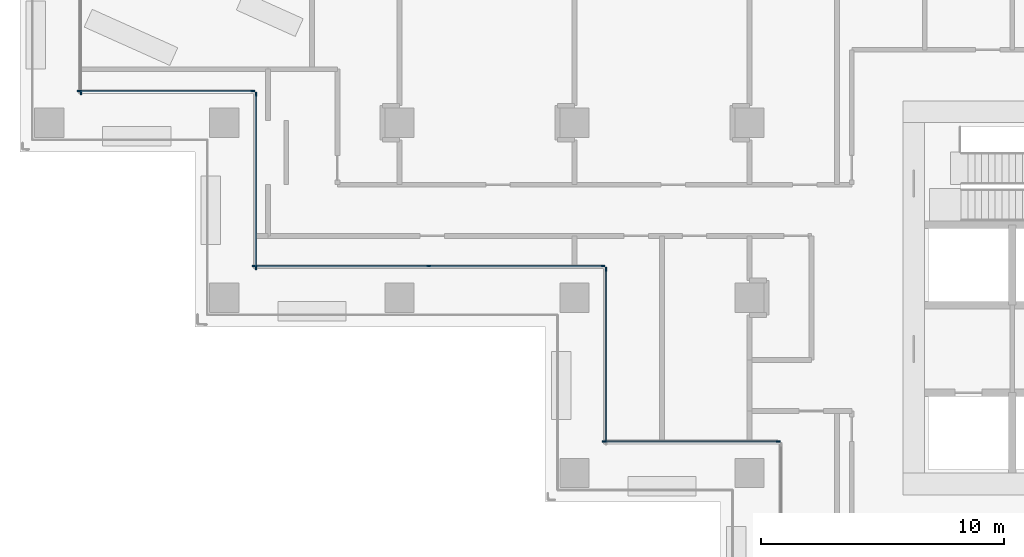
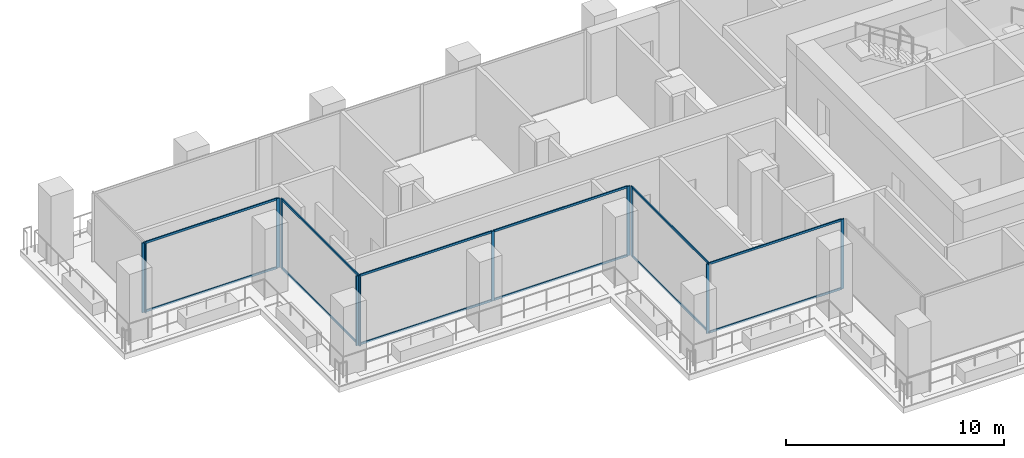
# One storey, part 4 of 24: 23 members, 6 elements without a shape of their own.
"""IFC4 building model written with IfcOpenShell, lengths in metres."""

from ifc_helpers import new_model, si_unit, direction, frame, origin, origin_2d, place, context, subcontext, project, spatial, rectangle, extrude, material, material_profile, profile_set, type_object, element, aggregate, save


model = new_model("IFC4")

# Units and contexts
model_context = context("Model", 3, precision=1e-05, world=origin(), true_north=direction((0.0, 1.0)))
body_context = subcontext(model_context, "Body", "Model", "MODEL_VIEW")
ifc_project = project(units=[si_unit("LENGTHUNIT", "METRE"), si_unit("AREAUNIT", "SQUARE_METRE"), si_unit("VOLUMEUNIT", "CUBIC_METRE"), si_unit("PLANEANGLEUNIT", "RADIAN"), si_unit("MASSUNIT", "GRAM", prefix="KILO")], contexts=[model_context])

# Site, building, storey
site_placement = place(None, origin())
site = spatial("IfcSite", under=ifc_project, at=site_placement, CompositionType="ELEMENT")
building_placement = place(site_placement, origin())
building = spatial("IfcBuilding", under=site, at=building_placement, Name="Windrow Commons", CompositionType="ELEMENT")
storey_placement = place(building_placement, frame((0.0, 0.0, 77.0)))
storey = spatial("IfcBuildingStorey", under=building, at=storey_placement, Name="L20", CompositionType="ELEMENT", Elevation=77.0)

# Curtain wall, member
ifc_material_1 = material(Name="Clear laminated glass in Aluminium 6063-T6 anodised frame", Category="aluminium")
curtain_wall_type = type_object("IfcCurtainWallType", Name="Curtain wall CW2 sky lounge", PredefinedType="USERDEFINED", material=ifc_material_1)
placement = place(storey_placement, origin())
curtain_wall_1 = element("IfcCurtainWall", 1, at=placement, inside=storey, type_object=curtain_wall_type, Name="Curtain wall CW2 L20 5", ObjectType="UNITISED", PredefinedType="USERDEFINED")
ifc_material_2 = material(Name="Aluminium 6063-T6", Category="aluminium")
ifc_material_profile_1 = material_profile(ifc_material_2, rectangle(XDim=0.06, YDim=0.16, at=origin_2d()))
ifc_profile_set_1 = profile_set([ifc_material_profile_1], Name="Aluminium 6063-T6")
member_type_1 = type_object("IfcMemberType", Name="CW2 mullion 60x160", PredefinedType="MULLION", material=ifc_profile_set_1)
member_1_placement = place(storey_placement, frame((22.9, 66.03, 0.0), z_axis=(0.0, 0.0, 1.0), x_axis=(1.0, 0.0, 0.0)))
member_1 = element("IfcMember", 2, at=member_1_placement, type_object=member_type_1, Name="CW2 mullion 2", PredefinedType="MULLION", context=body_context, shape_type="SweptSolid", body=[
    extrude(rectangle(XDim=0.06, YDim=0.16, at=origin_2d()), origin(), (0.0, 0.0, 1.0), 3.9),
])
aggregate(curtain_wall_1, [member_1])

# Curtain wall, members
curtain_wall_2 = element("IfcCurtainWall", 3, at=placement, inside=storey, type_object=curtain_wall_type, Name="Curtain wall CW2 L20 6", ObjectType="UNITISED", PredefinedType="USERDEFINED")
member_2_placement = place(storey_placement, frame((22.83, 66.1, 0.0), z_axis=(0.0, 0.0, 1.0), x_axis=(0.0, 1.0, 0.0)))
member_2 = element("IfcMember", 4, at=member_2_placement, type_object=member_type_1, Name="CW2 mullion 1", PredefinedType="MULLION", context=body_context, shape_type="SweptSolid", body=[
    extrude(rectangle(XDim=0.06, YDim=0.16, at=origin_2d()), origin(), (0.0, 0.0, 1.0), 3.9),
])
member_3_placement = place(storey_placement, frame((29.97, 66.1, 0.0), z_axis=(0.0, 0.0, 1.0), x_axis=(0.0, 1.0, 0.0)))
member_3 = element("IfcMember", 5, at=member_3_placement, type_object=member_type_1, Name="CW2 mullion 2", PredefinedType="MULLION", context=body_context, shape_type="SweptSolid", body=[
    extrude(rectangle(XDim=0.06, YDim=0.16, at=origin_2d()), origin(), (0.0, 0.0, 1.0), 3.9),
])

curtain_wall_3 = element("IfcCurtainWall", 6, at=placement, inside=storey, type_object=curtain_wall_type, Name="Curtain wall CW2 L20 7", ObjectType="UNITISED", PredefinedType="USERDEFINED")
member_4_placement = place(storey_placement, frame((30.1, 65.97, 0.0), z_axis=(0.0, 0.0, 1.0), x_axis=(1.0, 0.0, 0.0)))
member_4 = element("IfcMember", 7, at=member_4_placement, type_object=member_type_1, Name="CW2 mullion 1", PredefinedType="MULLION", context=body_context, shape_type="SweptSolid", body=[
    extrude(rectangle(XDim=0.06, YDim=0.16, at=origin_2d()), origin(), (0.0, 0.0, 1.0), 3.9),
])
member_5_placement = place(storey_placement, frame((30.1, 58.83, 0.0), z_axis=(0.0, 0.0, 1.0), x_axis=(1.0, 0.0, 0.0)))
member_5 = element("IfcMember", 8, at=member_5_placement, type_object=member_type_1, Name="CW2 mullion 2", PredefinedType="MULLION", context=body_context, shape_type="SweptSolid", body=[
    extrude(rectangle(XDim=0.06, YDim=0.16, at=origin_2d()), origin(), (0.0, 0.0, 1.0), 3.9),
])

curtain_wall_4 = element("IfcCurtainWall", 9, at=placement, inside=storey, type_object=curtain_wall_type, Name="Curtain wall CW2 L20 8", ObjectType="UNITISED", PredefinedType="USERDEFINED")
member_6_placement = place(storey_placement, frame((30.03, 58.9, 0.0), z_axis=(0.0, 0.0, 1.0), x_axis=(0.0, 1.0, 0.0)))
member_6 = element("IfcMember", 10, at=member_6_placement, type_object=member_type_1, Name="CW2 mullion 1", PredefinedType="MULLION", context=body_context, shape_type="SweptSolid", body=[
    extrude(rectangle(XDim=0.06, YDim=0.16, at=origin_2d()), origin(), (0.0, 0.0, 1.0), 3.9),
])
member_7_placement = place(storey_placement, frame((37.2, 58.9, 0.0), z_axis=(0.0, 0.0, 1.0), x_axis=(0.0, 1.0, 0.0)))
member_7 = element("IfcMember", 11, at=member_7_placement, type_object=member_type_1, Name="CW2 mullion 2", PredefinedType="MULLION", context=body_context, shape_type="SweptSolid", body=[
    extrude(rectangle(XDim=0.06, YDim=0.16, at=origin_2d()), origin(), (0.0, 0.0, 1.0), 3.9),
])
member_8_placement = place(storey_placement, frame((44.37, 58.9, 0.0), z_axis=(0.0, 0.0, 1.0), x_axis=(0.0, 1.0, 0.0)))
member_8 = element("IfcMember", 12, at=member_8_placement, type_object=member_type_1, Name="CW2 mullion 3", PredefinedType="MULLION", context=body_context, shape_type="SweptSolid", body=[
    extrude(rectangle(XDim=0.06, YDim=0.16, at=origin_2d()), origin(), (0.0, 0.0, 1.0), 3.9),
])

# Curtain wall, member
curtain_wall_5 = element("IfcCurtainWall", 13, at=placement, inside=storey, type_object=curtain_wall_type, Name="Curtain wall CW2 L20 9", ObjectType="UNITISED", PredefinedType="USERDEFINED")
member_9_placement = place(storey_placement, frame((44.5, 58.77, 0.0), z_axis=(0.0, 0.0, 1.0), x_axis=(1.0, 0.0, 0.0)))
member_9 = element("IfcMember", 14, at=member_9_placement, type_object=member_type_1, Name="CW2 mullion 1", PredefinedType="MULLION", context=body_context, shape_type="SweptSolid", body=[
    extrude(rectangle(XDim=0.06, YDim=0.16, at=origin_2d()), origin(), (0.0, 0.0, 1.0), 3.9),
])

# Curtain wall, members
curtain_wall_6 = element("IfcCurtainWall", 15, at=placement, inside=storey, type_object=curtain_wall_type, Name="Curtain wall CW2 L20 10", ObjectType="UNITISED", PredefinedType="USERDEFINED")
member_10_placement = place(storey_placement, frame((44.43, 51.7, 0.0), z_axis=(0.0, 0.0, 1.0), x_axis=(0.0, 1.0, 0.0)))
member_10 = element("IfcMember", 16, at=member_10_placement, type_object=member_type_1, Name="CW2 mullion 1", PredefinedType="MULLION", context=body_context, shape_type="SweptSolid", body=[
    extrude(rectangle(XDim=0.06, YDim=0.16, at=origin_2d()), origin(), (0.0, 0.0, 1.0), 3.9),
])
member_11_placement = place(storey_placement, frame((51.57, 51.7, 0.0), z_axis=(0.0, 0.0, 1.0), x_axis=(0.0, 1.0, 0.0)))
member_11 = element("IfcMember", 17, at=member_11_placement, type_object=member_type_1, Name="CW2 mullion 2", PredefinedType="MULLION", context=body_context, shape_type="SweptSolid", body=[
    extrude(rectangle(XDim=0.06, YDim=0.16, at=origin_2d()), origin(), (0.0, 0.0, 1.0), 3.9),
])

# Member
ifc_material_3 = material(Name="Aluminium 6063-T6", Category="aluminium")
ifc_material_profile_2 = material_profile(ifc_material_3, rectangle(XDim=0.06, YDim=0.12, at=origin_2d()))
ifc_profile_set_2 = profile_set([ifc_material_profile_2], Name="Aluminium 6063-T6")
member_type_2 = type_object("IfcMemberType", Name="CW2 transom 60x120", PredefinedType="USERDEFINED", material=ifc_profile_set_2)
member_12_placement = place(storey_placement, frame((22.86, 66.1, 0.03), z_axis=(1.0, 0.0, 0.0), x_axis=(0.0, 1.0, 0.0)))
member_12 = element("IfcMember", 18, at=member_12_placement, type_object=member_type_2, Name="CW2 transom 1.1", ObjectType="TRANSOM", PredefinedType="USERDEFINED", context=body_context, shape_type="SweptSolid", body=[
    extrude(rectangle(XDim=0.06, YDim=0.12, at=origin_2d()), origin(), (0.0, 0.0, 1.0), 7.08),
])

member_13_placement = place(storey_placement, frame((22.86, 66.1, 3.87), z_axis=(1.0, 0.0, 0.0), x_axis=(0.0, 1.0, 0.0)))
member_13 = element("IfcMember", 19, at=member_13_placement, type_object=member_type_2, Name="CW2 transom 1.2", ObjectType="TRANSOM", PredefinedType="USERDEFINED", context=body_context, shape_type="SweptSolid", body=[
    extrude(rectangle(XDim=0.06, YDim=0.12, at=origin_2d()), origin(), (0.0, 0.0, 1.0), 7.08),
])

aggregate(curtain_wall_2, [member_2, member_3, member_12, member_13])

member_14_placement = place(storey_placement, frame((30.1, 65.94, 0.03), z_axis=(0.0, -1.0, 0.0), x_axis=(1.0, 0.0, 0.0)))
member_14 = element("IfcMember", 20, at=member_14_placement, type_object=member_type_2, Name="CW2 transom 1.1", ObjectType="TRANSOM", PredefinedType="USERDEFINED", context=body_context, shape_type="SweptSolid", body=[
    extrude(rectangle(XDim=0.06, YDim=0.12, at=origin_2d()), origin(), (0.0, 0.0, 1.0), 7.08),
])

member_15_placement = place(storey_placement, frame((30.1, 65.94, 3.87), z_axis=(0.0, -1.0, 0.0), x_axis=(1.0, 0.0, 0.0)))
member_15 = element("IfcMember", 21, at=member_15_placement, type_object=member_type_2, Name="CW2 transom 1.2", ObjectType="TRANSOM", PredefinedType="USERDEFINED", context=body_context, shape_type="SweptSolid", body=[
    extrude(rectangle(XDim=0.06, YDim=0.12, at=origin_2d()), origin(), (0.0, 0.0, 1.0), 7.08),
])

aggregate(curtain_wall_3, [member_4, member_5, member_14, member_15])

member_16_placement = place(storey_placement, frame((30.06, 58.9, 0.03), z_axis=(1.0, 0.0, 0.0), x_axis=(0.0, 1.0, 0.0)))
member_16 = element("IfcMember", 22, at=member_16_placement, type_object=member_type_2, Name="CW2 transom 1.1", ObjectType="TRANSOM", PredefinedType="USERDEFINED", context=body_context, shape_type="SweptSolid", body=[
    extrude(rectangle(XDim=0.06, YDim=0.12, at=origin_2d()), origin(), (0.0, 0.0, 1.0), 7.11),
])

member_17_placement = place(storey_placement, frame((30.06, 58.9, 3.87), z_axis=(1.0, 0.0, 0.0), x_axis=(0.0, 1.0, 0.0)))
member_17 = element("IfcMember", 23, at=member_17_placement, type_object=member_type_2, Name="CW2 transom 1.2", ObjectType="TRANSOM", PredefinedType="USERDEFINED", context=body_context, shape_type="SweptSolid", body=[
    extrude(rectangle(XDim=0.06, YDim=0.12, at=origin_2d()), origin(), (0.0, 0.0, 1.0), 7.11),
])

member_18_placement = place(storey_placement, frame((37.23, 58.9, 0.03), z_axis=(1.0, 0.0, 0.0), x_axis=(0.0, 1.0, 0.0)))
member_18 = element("IfcMember", 24, at=member_18_placement, type_object=member_type_2, Name="CW2 transom 2.1", ObjectType="TRANSOM", PredefinedType="USERDEFINED", context=body_context, shape_type="SweptSolid", body=[
    extrude(rectangle(XDim=0.06, YDim=0.12, at=origin_2d()), origin(), (0.0, 0.0, 1.0), 7.11),
])

member_19_placement = place(storey_placement, frame((37.23, 58.9, 3.87), z_axis=(1.0, 0.0, 0.0), x_axis=(0.0, 1.0, 0.0)))
member_19 = element("IfcMember", 25, at=member_19_placement, type_object=member_type_2, Name="CW2 transom 2.2", ObjectType="TRANSOM", PredefinedType="USERDEFINED", context=body_context, shape_type="SweptSolid", body=[
    extrude(rectangle(XDim=0.06, YDim=0.12, at=origin_2d()), origin(), (0.0, 0.0, 1.0), 7.11),
])

aggregate(curtain_wall_4, [member_6, member_7, member_8, member_16, member_17, member_18, member_19])

member_20_placement = place(storey_placement, frame((44.5, 58.74, 0.03), z_axis=(0.0, -1.0, 0.0), x_axis=(1.0, 0.0, 0.0)))
member_20 = element("IfcMember", 26, at=member_20_placement, type_object=member_type_2, Name="CW2 transom 1.1", ObjectType="TRANSOM", PredefinedType="USERDEFINED", context=body_context, shape_type="SweptSolid", body=[
    extrude(rectangle(XDim=0.06, YDim=0.12, at=origin_2d()), origin(), (0.0, 0.0, 1.0), 7.08),
])

member_21_placement = place(storey_placement, frame((44.5, 58.74, 3.87), z_axis=(0.0, -1.0, 0.0), x_axis=(1.0, 0.0, 0.0)))
member_21 = element("IfcMember", 27, at=member_21_placement, type_object=member_type_2, Name="CW2 transom 1.2", ObjectType="TRANSOM", PredefinedType="USERDEFINED", context=body_context, shape_type="SweptSolid", body=[
    extrude(rectangle(XDim=0.06, YDim=0.12, at=origin_2d()), origin(), (0.0, 0.0, 1.0), 7.08),
])

aggregate(curtain_wall_5, [member_9, member_20, member_21])

member_22_placement = place(storey_placement, frame((44.46, 51.7, 0.03), z_axis=(1.0, 0.0, 0.0), x_axis=(0.0, 1.0, 0.0)))
member_22 = element("IfcMember", 28, at=member_22_placement, type_object=member_type_2, Name="CW2 transom 1.1", ObjectType="TRANSOM", PredefinedType="USERDEFINED", context=body_context, shape_type="SweptSolid", body=[
    extrude(rectangle(XDim=0.06, YDim=0.12, at=origin_2d()), origin(), (0.0, 0.0, 1.0), 7.08),
])

member_23_placement = place(storey_placement, frame((44.46, 51.7, 3.87), z_axis=(1.0, 0.0, 0.0), x_axis=(0.0, 1.0, 0.0)))
member_23 = element("IfcMember", 29, at=member_23_placement, type_object=member_type_2, Name="CW2 transom 1.2", ObjectType="TRANSOM", PredefinedType="USERDEFINED", context=body_context, shape_type="SweptSolid", body=[
    extrude(rectangle(XDim=0.06, YDim=0.12, at=origin_2d()), origin(), (0.0, 0.0, 1.0), 7.08),
])

aggregate(curtain_wall_6, [member_10, member_11, member_22, member_23])

save(model, "model.ifc")
